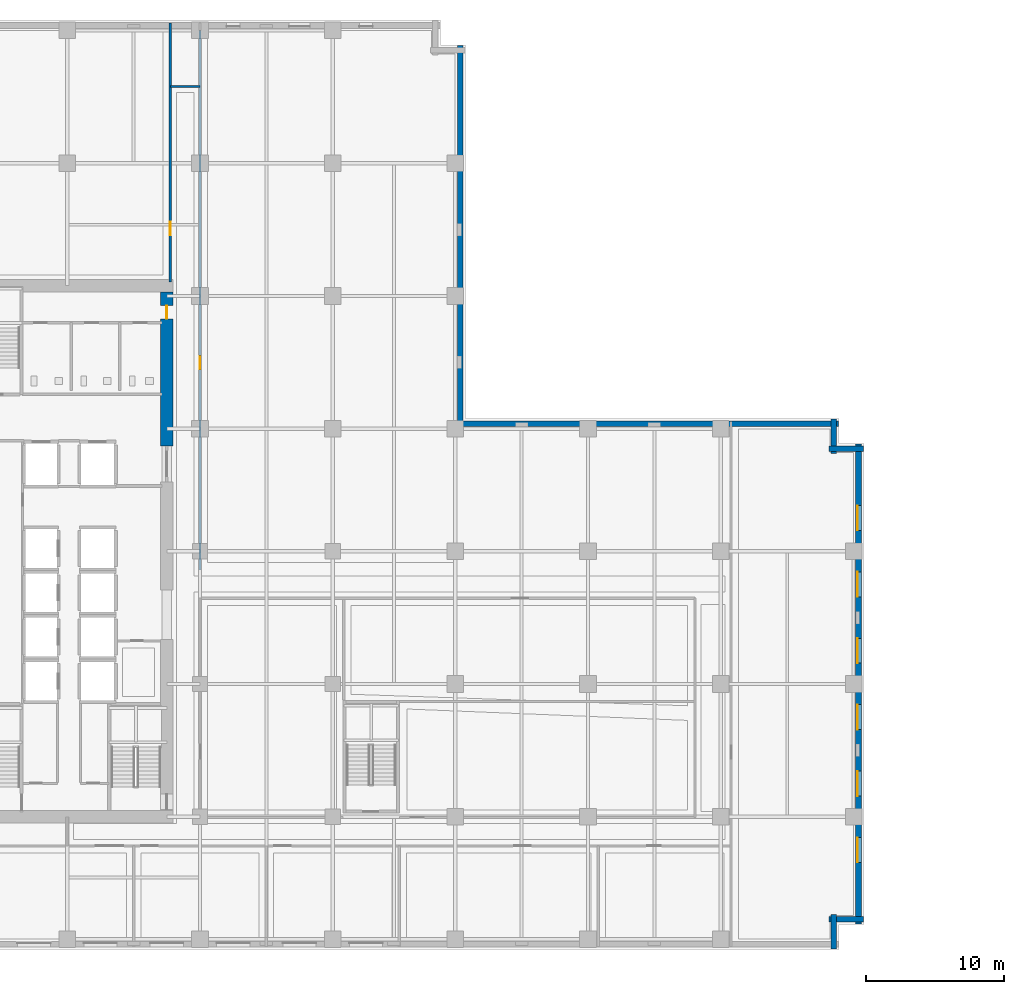
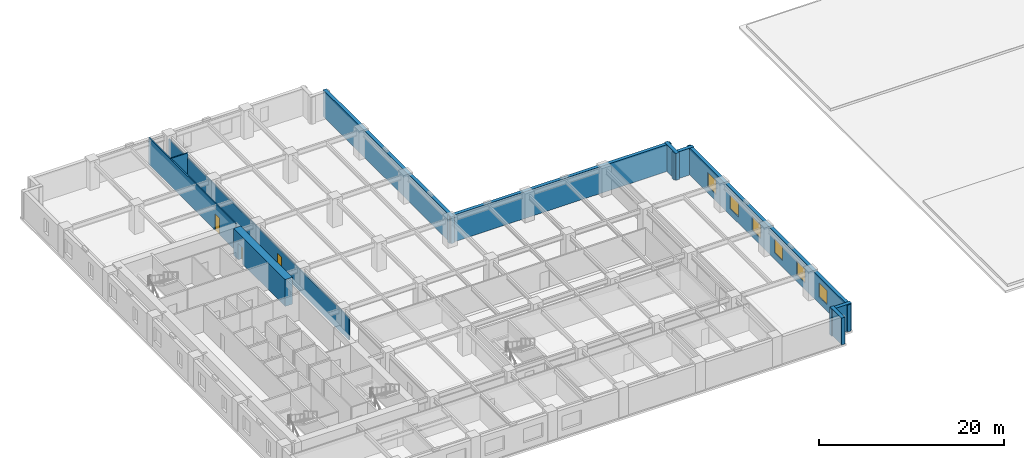
# One storey, part 7 of 14: 11 walls, 6 windows, 3 doors, 9 openings.
"""IFC4 building model written with IfcOpenShell, lengths in metres."""

from ifc_helpers import new_model, si_unit, direction, frame, frame_2d, origin, place, context, subcontext, project, spatial, rectangle, extrude, material, layer, layer_set, type_object, element, fill, save


model = new_model("IFC4")

# Units and contexts
model_context = context("Model", 3, precision=1e-05, world=origin(), true_north=direction((0.0, 1.0)))
body_context = subcontext(model_context, "Body", "Model", "MODEL_VIEW")
ifc_project = project(units=[si_unit("LENGTHUNIT", "METRE"), si_unit("AREAUNIT", "SQUARE_METRE"), si_unit("VOLUMEUNIT", "CUBIC_METRE"), si_unit("PLANEANGLEUNIT", "RADIAN"), si_unit("MASSUNIT", "GRAM", prefix="KILO")], contexts=[model_context])

# Site, building, storey
site_placement = place(None, origin())
site = spatial("IfcSite", under=ifc_project, at=site_placement, CompositionType="ELEMENT")
building_placement = place(site_placement, origin())
building = spatial("IfcBuilding", under=site, at=building_placement, Name="Norrvale University Quadrangle", CompositionType="ELEMENT")
storey_placement = place(building_placement, frame((0.0, 0.0, 24.199951171875)))
storey = spatial("IfcBuildingStorey", under=building, at=storey_placement, Name="L05", CompositionType="ELEMENT", Elevation=24.199951171875)

# Walls
ifc_material_1 = material(Name="Buff Norman Clay Brick Masonry", Category="masonry")
ifc_layer_1 = layer(ifc_material_1, 0.419921875, Name="Buff Norman Clay Brick Masonry")
ifc_layer_set_1 = layer_set([ifc_layer_1], Name="Buff Norman Clay Brick Masonry")
wall_type_1 = type_object("IfcWallType", Name="Wall Buff Brick 420", PredefinedType="SOLIDWALL", material=ifc_layer_set_1)
for number, where, z_axis, x_axis, name in (
    (1, (65.010009765625, 0.0400390625, 0.0), (0.0, 0.0, 1.0), (0.0, 1.0, 0.0), "Exterior Brick Facade Wall L05-02.1"),
    (2, (64.659912109375, 2.18994140625, 0.0), (0.0, 0.0, 1.0), (1.0, 0.0, 0.0), "Exterior Brick Facade Wall L05-03.1"),
):
    element("IfcWall", number, at=place(storey_placement, frame(where, z_axis=z_axis, x_axis=x_axis)), inside=storey, type_object=wall_type_1, Name=name, PredefinedType="SOLIDWALL", context=body_context, shape_type="SweptSolid", body=[
        extrude(rectangle(XDim=2.5, YDim=0.419921875, at=frame_2d((1.25, 0.0))), origin(), (0.0, 0.0, 1.0), 3.5400390625),
    ])

# Wall, openings, windows
wall_1_placement = place(storey_placement, frame((66.81005859375, 1.840087890625, 0.0), z_axis=(0.0, 0.0, 1.0), x_axis=(0.0, 1.0, 0.0)))
wall_1 = element("IfcWall", 3, at=wall_1_placement, inside=storey, type_object=wall_type_1, Name="Exterior Brick Facade Wall L05-04.1", PredefinedType="SOLIDWALL", context=body_context, shape_type="SweptSolid", body=[
    extrude(rectangle(XDim=34.719970703125, YDim=0.419921875, at=frame_2d((17.35986328125, 0.0))), origin(), (0.0, 0.0, 1.0), 3.5400390625),
])
opening_1_placement = place(wall_1_placement, frame((4.4599609375, 0.0, 0.85009765625)))
opening_1 = element("IfcOpeningElement", 4, at=opening_1_placement, cuts=wall_1, Name="Opening W01", PredefinedType="OPENING", context=body_context, shape_type="SweptSolid", body=[
    extrude(rectangle(XDim=1.800048828125, YDim=1.85009765625, at=frame_2d((0.89990234375, 0.925048828125))), frame((0.0, 0.221923828125, 0.0), z_axis=(0.0, -1.0, 0.0), x_axis=(1.0, 0.0, 0.0)), (0.0, 0.0, 1.0), 0.44384765625),
])
opening_2_placement = place(wall_1_placement, frame((9.260009765625, 0.0, 0.85009765625)))
opening_2 = element("IfcOpeningElement", 5, at=opening_2_placement, cuts=wall_1, Name="Opening W01", PredefinedType="OPENING", context=body_context, shape_type="SweptSolid", body=[
    extrude(rectangle(XDim=1.800048828125, YDim=1.85009765625, at=frame_2d((0.89990234375, 0.925048828125))), frame((0.0, 0.221923828125, 0.0), z_axis=(0.0, -1.0, 0.0), x_axis=(1.0, 0.0, 0.0)), (0.0, 0.0, 1.0), 0.44384765625),
])
opening_3_placement = place(wall_1_placement, frame((14.06005859375, 0.0, 0.85009765625)))
opening_3 = element("IfcOpeningElement", 6, at=opening_3_placement, cuts=wall_1, Name="Opening W01", PredefinedType="OPENING", context=body_context, shape_type="SweptSolid", body=[
    extrude(rectangle(XDim=1.800048828125, YDim=1.85009765625, at=frame_2d((0.89990234375, 0.925048828125))), frame((0.0, 0.221923828125, 0.0), z_axis=(0.0, -1.0, 0.0), x_axis=(1.0, 0.0, 0.0)), (0.0, 0.0, 1.0), 0.44384765625),
])
opening_4_placement = place(wall_1_placement, frame((18.860107421875, 0.0, 0.85009765625)))
opening_4 = element("IfcOpeningElement", 7, at=opening_4_placement, cuts=wall_1, Name="Opening W01", PredefinedType="OPENING", context=body_context, shape_type="SweptSolid", body=[
    extrude(rectangle(XDim=1.800048828125, YDim=1.85009765625, at=frame_2d((0.89990234375, 0.925048828125))), frame((0.0, 0.221923828125, 0.0), z_axis=(0.0, -1.0, 0.0), x_axis=(1.0, 0.0, 0.0)), (0.0, 0.0, 1.0), 0.44384765625),
])
opening_5_placement = place(wall_1_placement, frame((23.659912109375, 0.0, 0.85009765625)))
opening_5 = element("IfcOpeningElement", 8, at=opening_5_placement, cuts=wall_1, Name="Opening W01", PredefinedType="OPENING", context=body_context, shape_type="SweptSolid", body=[
    extrude(rectangle(XDim=1.800048828125, YDim=1.85009765625, at=frame_2d((0.89990234375, 0.925048828125))), frame((0.0, 0.221923828125, 0.0), z_axis=(0.0, -1.0, 0.0), x_axis=(1.0, 0.0, 0.0)), (0.0, 0.0, 1.0), 0.44384765625),
])
opening_6_placement = place(wall_1_placement, frame((28.4599609375, 0.0, 0.85009765625)))
opening_6 = element("IfcOpeningElement", 9, at=opening_6_placement, cuts=wall_1, Name="Opening W01", PredefinedType="OPENING", context=body_context, shape_type="SweptSolid", body=[
    extrude(rectangle(XDim=1.800048828125, YDim=1.85009765625, at=frame_2d((0.89990234375, 0.925048828125))), frame((0.0, 0.221923828125, 0.0), z_axis=(0.0, -1.0, 0.0), x_axis=(1.0, 0.0, 0.0)), (0.0, 0.0, 1.0), 0.44384765625),
])
ifc_material_2 = material(Name="Triple Low-E Argon Glazing", Category="glass")
window_type = type_object("IfcWindowType", Name="Window Academic 1800x2300", PartitioningType="DOUBLE_PANEL_VERTICAL", PredefinedType="WINDOW", material=ifc_material_2)
window_1_placement = place(opening_1_placement, origin())
window_1 = element("IfcWindow", 10, at=window_1_placement, inside=storey, type_object=window_type, Name="Window Academic 1800x2300 WIN-L05-E04-1-01", OverallHeight=1.85009765625, OverallWidth=1.800048828125, PartitioningType="DOUBLE_PANEL_VERTICAL", PredefinedType="WINDOW", context=body_context, shape_type="SweptSolid", body=[
    extrude(rectangle(XDim=1.800048828125, YDim=1.85009765625, at=frame_2d((0.89990234375, 0.925048828125))), frame((0.0, 0.110107421875, 0.0), z_axis=(0.0, -1.0, 0.0), x_axis=(1.0, 0.0, 0.0)), (0.0, 0.0, 1.0), 0.06005859375),
])
fill(opening_1, window_1)
window_2_placement = place(opening_2_placement, origin())
window_2 = element("IfcWindow", 11, at=window_2_placement, inside=storey, type_object=window_type, Name="Window Academic 1800x2300 WIN-L05-E04-1-02", OverallHeight=1.85009765625, OverallWidth=1.800048828125, PartitioningType="DOUBLE_PANEL_VERTICAL", PredefinedType="WINDOW", context=body_context, shape_type="SweptSolid", body=[
    extrude(rectangle(XDim=1.800048828125, YDim=1.85009765625, at=frame_2d((0.89990234375, 0.925048828125))), frame((0.0, 0.110107421875, 0.0), z_axis=(0.0, -1.0, 0.0), x_axis=(1.0, 0.0, 0.0)), (0.0, 0.0, 1.0), 0.06005859375),
])
fill(opening_2, window_2)
window_3_placement = place(opening_3_placement, origin())
window_3 = element("IfcWindow", 12, at=window_3_placement, inside=storey, type_object=window_type, Name="Window Academic 1800x2300 WIN-L05-E04-1-03", OverallHeight=1.85009765625, OverallWidth=1.800048828125, PartitioningType="DOUBLE_PANEL_VERTICAL", PredefinedType="WINDOW", context=body_context, shape_type="SweptSolid", body=[
    extrude(rectangle(XDim=1.800048828125, YDim=1.85009765625, at=frame_2d((0.89990234375, 0.925048828125))), frame((0.0, 0.110107421875, 0.0), z_axis=(0.0, -1.0, 0.0), x_axis=(1.0, 0.0, 0.0)), (0.0, 0.0, 1.0), 0.06005859375),
])
fill(opening_3, window_3)
window_4_placement = place(opening_4_placement, origin())
window_4 = element("IfcWindow", 13, at=window_4_placement, inside=storey, type_object=window_type, Name="Window Academic 1800x2300 WIN-L05-E04-1-04", OverallHeight=1.85009765625, OverallWidth=1.800048828125, PartitioningType="DOUBLE_PANEL_VERTICAL", PredefinedType="WINDOW", context=body_context, shape_type="SweptSolid", body=[
    extrude(rectangle(XDim=1.800048828125, YDim=1.85009765625, at=frame_2d((0.89990234375, 0.925048828125))), frame((0.0, 0.110107421875, 0.0), z_axis=(0.0, -1.0, 0.0), x_axis=(1.0, 0.0, 0.0)), (0.0, 0.0, 1.0), 0.06005859375),
])
fill(opening_4, window_4)
window_5_placement = place(opening_5_placement, origin())
window_5 = element("IfcWindow", 14, at=window_5_placement, inside=storey, type_object=window_type, Name="Window Academic 1800x2300 WIN-L05-E04-1-05", OverallHeight=1.85009765625, OverallWidth=1.800048828125, PartitioningType="DOUBLE_PANEL_VERTICAL", PredefinedType="WINDOW", context=body_context, shape_type="SweptSolid", body=[
    extrude(rectangle(XDim=1.800048828125, YDim=1.85009765625, at=frame_2d((0.89990234375, 0.925048828125))), frame((0.0, 0.110107421875, 0.0), z_axis=(0.0, -1.0, 0.0), x_axis=(1.0, 0.0, 0.0)), (0.0, 0.0, 1.0), 0.06005859375),
])
fill(opening_5, window_5)
window_6_placement = place(opening_6_placement, origin())
window_6 = element("IfcWindow", 15, at=window_6_placement, inside=storey, type_object=window_type, Name="Window Academic 1800x2300 WIN-L05-E04-1-06", OverallHeight=1.85009765625, OverallWidth=1.800048828125, PartitioningType="DOUBLE_PANEL_VERTICAL", PredefinedType="WINDOW", context=body_context, shape_type="SweptSolid", body=[
    extrude(rectangle(XDim=1.800048828125, YDim=1.85009765625, at=frame_2d((0.89990234375, 0.925048828125))), frame((0.0, 0.110107421875, 0.0), z_axis=(0.0, -1.0, 0.0), x_axis=(1.0, 0.0, 0.0)), (0.0, 0.0, 1.0), 0.06005859375),
])
fill(opening_6, window_6)

# Walls
for number, where, z_axis, x_axis, name in (
    (16, (67.159912109375, 36.2099609375, 0.0), (0.0, 0.0, 1.0), (-1.0, 0.0, 0.0), "Exterior Brick Facade Wall L05-05.1"),
    (17, (65.010009765625, 35.860107421875, 0.0), (0.0, 0.0, 1.0), (0.0, 1.0, 0.0), "Exterior Brick Facade Wall L05-06.1"),
):
    element("IfcWall", number, at=place(storey_placement, frame(where, z_axis=z_axis, x_axis=x_axis)), inside=storey, type_object=wall_type_1, Name=name, PredefinedType="SOLIDWALL", context=body_context, shape_type="SweptSolid", body=[
        extrude(rectangle(XDim=2.5, YDim=0.419921875, at=frame_2d((1.25, 0.0))), origin(), (0.0, 0.0, 1.0), 3.5400390625),
    ])
for number, where, z_axis, x_axis, name in (
    (18, (65.360107421875, 38.010009765625, 0.0), (0.0, 0.0, 1.0), (-1.0, 0.0, 0.0), "Exterior Brick Facade Wall L05-07.1"),
    (19, (38.010009765625, 37.659912109375, 0.0), (0.0, 0.0, 1.0), (0.0, 1.0, 0.0), "Exterior Brick Facade Wall L05-08.1"),
):
    element("IfcWall", number, at=place(storey_placement, frame(where, z_axis=z_axis, x_axis=x_axis)), inside=storey, type_object=wall_type_1, Name=name, PredefinedType="SOLIDWALL", context=body_context, shape_type="SweptSolid", body=[
        extrude(rectangle(XDim=27.7001953125, YDim=0.419921875, at=frame_2d((13.85009765625, 0.0))), origin(), (0.0, 0.0, 1.0), 3.5400390625),
    ])

# Wall, opening, door
ifc_material_3 = material(Name="Concrete C80/95", Category="concrete")
ifc_layer_2 = layer(ifc_material_3, 0.89990234375, Name="Concrete C80/95")
ifc_layer_set_2 = layer_set([ifc_layer_2], Name="Concrete C80/95")
wall_type_2 = type_object("IfcWallType", Name="Wall Core 900", PredefinedType="SHEAR", material=ifc_layer_set_2)
wall_2_placement = place(storey_placement, frame((16.800048828125, 36.39990234375, 0.0), z_axis=(0.0, 0.0, 1.0), x_axis=(0.0, 1.0, 0.0)))
wall_2 = element("IfcWall", 20, at=wall_2_placement, inside=storey, type_object=wall_type_2, Name="Tower Core Shear Wall L05-E3", PredefinedType="SHEAR", context=body_context, shape_type="SweptSolid", body=[
    extrude(rectangle(XDim=11.150146484375, YDim=0.89990234375, at=frame_2d((5.5751953125, 0.0))), origin(), (0.0, 0.0, 1.0), 3.5400390625),
])
opening_7_placement = place(wall_2_placement, frame((9.199951171875, 0.0, 0.0)))
opening_7 = element("IfcOpeningElement", 21, at=opening_7_placement, cuts=wall_2, Name="Opening D07", PredefinedType="OPENING", context=body_context, shape_type="SweptSolid", body=[
    extrude(rectangle(XDim=0.949951171875, YDim=2.14990234375, at=frame_2d((0.47509765625, 1.074951171875))), frame((0.0, 0.4619140625, 0.0), z_axis=(0.0, -1.0, 0.0), x_axis=(1.0, 0.0, 0.0)), (0.0, 0.0, 1.0), 0.923828125),
])
ifc_material_4 = material(Name="Solid-Core Maple Door", Category="wood")
door_type = type_object("IfcDoorType", Name="Door Office 950x2150", OperationType="NOTDEFINED", PredefinedType="DOOR", material=ifc_material_4)
door_1_placement = place(opening_7_placement, origin())
door_1 = element("IfcDoor", 22, at=door_1_placement, inside=storey, type_object=door_type, Name="Door Office 950x2150 DR-L05-NECORR", OperationType="SINGLE_SWING_RIGHT", OverallHeight=2.14990234375, OverallWidth=0.949951171875, PredefinedType="DOOR", context=body_context, shape_type="SweptSolid", body=[
    extrude(rectangle(XDim=0.949951171875, YDim=2.14990234375, at=frame_2d((0.47509765625, 1.074951171875))), frame((0.0, 0.02490234375, 0.0), z_axis=(0.0, -1.0, 0.0), x_axis=(1.0, 0.0, 0.0)), (0.0, 0.0, 1.0), 0.050048828125),
])
fill(opening_7, door_1)

# Wall
ifc_material_5 = material(Name="Fire-Rated Gypsum Stud Partition")
ifc_layer_3 = layer(ifc_material_5, 0.14990234375, Name="Fire-Rated Gypsum Stud Partition")
ifc_layer_set_3 = layer_set([ifc_layer_3], Name="Fire-Rated Gypsum Stud Partition")
wall_type_3 = type_object("IfcWallType", Name="Wall Gypsum Corridor 150", PredefinedType="PARTITIONING", material=ifc_layer_set_3)
wall_3_placement = place(storey_placement, frame((17.050048828125, 62.39990234375, 0.0), z_axis=(0.0, 0.0, 1.0), x_axis=(1.0, 0.0, 0.0)))
element("IfcWall", 23, at=wall_3_placement, inside=storey, type_object=wall_type_3, Name="Interior Partition WL-L05-CN-END", PredefinedType="PARTITIONING", context=body_context, shape_type="SweptSolid", body=[
    extrude(rectangle(XDim=2.14990234375, YDim=0.14990234375, at=frame_2d((1.074951171875, 0.0))), origin(), (0.0, 0.0, 1.0), 3.5400390625),
])

# Wall, opening, door
wall_4_placement = place(storey_placement, frame((19.199951171875, 27.449951171875, 0.0), z_axis=(0.0, 0.0, 1.0), x_axis=(0.0, 1.0, 0.0)))
wall_4 = element("IfcWall", 24, at=wall_4_placement, inside=storey, type_object=wall_type_3, Name="Interior Partition WL-L05-NECW", PredefinedType="PARTITIONING", context=body_context, shape_type="SweptSolid", body=[
    extrude(rectangle(XDim=39.0, YDim=0.14990234375, at=frame_2d((19.5, 0.0))), origin(), (0.0, 0.0, 1.0), 2.923095703125),
])
opening_8_placement = place(wall_4_placement, frame((14.5, 0.0, 0.0)))
opening_8 = element("IfcOpeningElement", 25, at=opening_8_placement, cuts=wall_4, Name="Opening D07", PredefinedType="OPENING", context=body_context, shape_type="SweptSolid", body=[
    extrude(rectangle(XDim=0.949951171875, YDim=2.14990234375, at=frame_2d((0.47509765625, 1.074951171875))), frame((0.0, 0.0869140625, 0.0), z_axis=(0.0, -1.0, 0.0), x_axis=(1.0, 0.0, 0.0)), (0.0, 0.0, 1.0), 0.173828125),
])
door_2_placement = place(opening_8_placement, origin())
door_2 = element("IfcDoor", 26, at=door_2_placement, inside=storey, type_object=door_type, Name="Door Office 950x2150 DR-L05-NE01", OperationType="SINGLE_SWING_RIGHT", OverallHeight=2.14990234375, OverallWidth=0.949951171875, PredefinedType="DOOR", context=body_context, shape_type="SweptSolid", body=[
    extrude(rectangle(XDim=0.949951171875, YDim=2.14990234375, at=frame_2d((0.47509765625, 1.074951171875))), frame((0.0, 0.02490234375, 0.0), z_axis=(0.0, -1.0, 0.0), x_axis=(1.0, 0.0, 0.0)), (0.0, 0.0, 1.0), 0.050048828125),
])
fill(opening_8, door_2)

wall_5_placement = place(storey_placement, frame((17.050048828125, 48.25, 0.0), z_axis=(0.0, 0.0, 1.0), x_axis=(0.0, 1.0, 0.0)))
wall_5 = element("IfcWall", 27, at=wall_5_placement, inside=storey, type_object=wall_type_3, Name="Interior Partition WL-L05-NWCW", PredefinedType="PARTITIONING", context=body_context, shape_type="SweptSolid", body=[
    extrude(rectangle(XDim=18.72998046875, YDim=0.14990234375, at=frame_2d((9.364990234375, 0.0))), origin(), (0.0, 0.0, 1.0), 3.5400390625),
])
opening_9_placement = place(wall_5_placement, frame((3.39990234375, 0.0, 0.0)))
opening_9 = element("IfcOpeningElement", 28, at=opening_9_placement, cuts=wall_5, Name="Opening D07", PredefinedType="OPENING", context=body_context, shape_type="SweptSolid", body=[
    extrude(rectangle(XDim=0.949951171875, YDim=2.14990234375, at=frame_2d((0.47509765625, 1.074951171875))), frame((0.0, 0.0869140625, 0.0), z_axis=(0.0, -1.0, 0.0), x_axis=(1.0, 0.0, 0.0)), (0.0, 0.0, 1.0), 0.173828125),
])
door_3_placement = place(opening_9_placement, origin())
door_3 = element("IfcDoor", 29, at=door_3_placement, inside=storey, type_object=door_type, Name="Door Office 950x2150 DR-L05-NW01", OperationType="SINGLE_SWING_RIGHT", OverallHeight=2.14990234375, OverallWidth=0.949951171875, PredefinedType="DOOR", context=body_context, shape_type="SweptSolid", body=[
    extrude(rectangle(XDim=0.949951171875, YDim=2.14990234375, at=frame_2d((0.47509765625, 1.074951171875))), frame((0.0, 0.02490234375, 0.0), z_axis=(0.0, -1.0, 0.0), x_axis=(1.0, 0.0, 0.0)), (0.0, 0.0, 1.0), 0.050048828125),
])
fill(opening_9, door_3)

save(model, "model.ifc")
